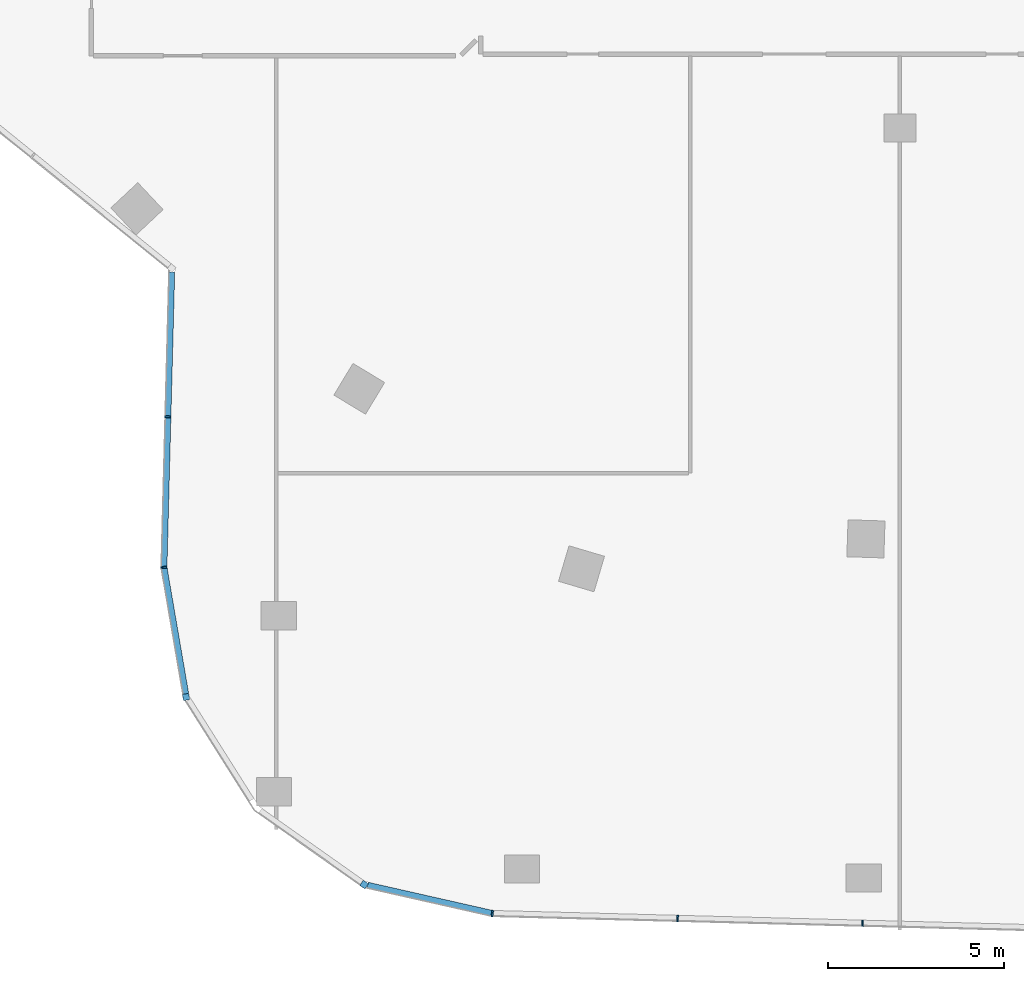
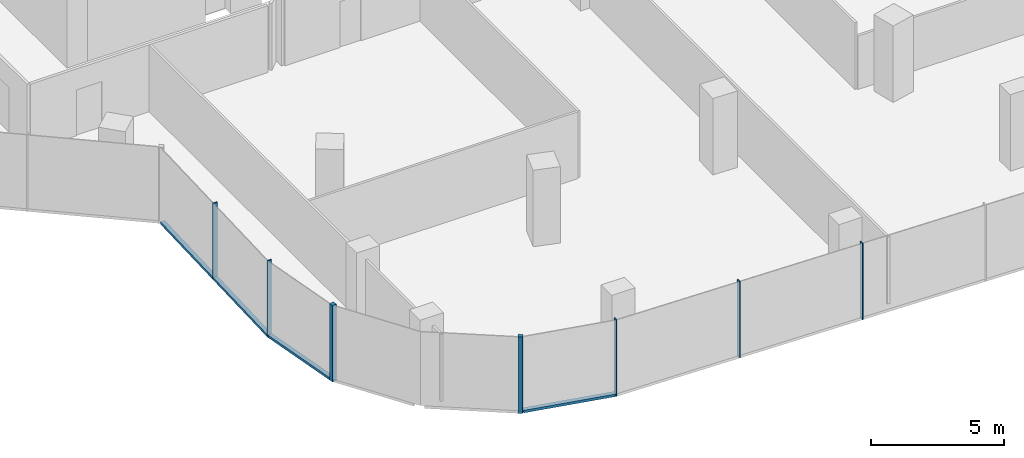
# One storey, part 2 of 23: 10 members, 5 elements without a shape of their own.
"""IFC4 building model written with IfcOpenShell, lengths in metres."""

from ifc_helpers import new_model, si_unit, direction, frame, origin, origin_2d, place, context, subcontext, project, spatial, rectangle, extrude, material, material_profile, profile_set, type_object, element, aggregate, save


model = new_model("IFC4")

# Units and contexts
model_context = context("Model", 3, precision=1e-05, world=origin(), true_north=direction((0.0, 1.0)))
body_context = subcontext(model_context, "Body", "Model", "MODEL_VIEW")
ifc_project = project(units=[si_unit("LENGTHUNIT", "METRE"), si_unit("AREAUNIT", "SQUARE_METRE"), si_unit("VOLUMEUNIT", "CUBIC_METRE"), si_unit("PLANEANGLEUNIT", "RADIAN"), si_unit("MASSUNIT", "GRAM", prefix="KILO")], contexts=[model_context])

# Site, building, storey
site_placement = place(None, origin())
site = spatial("IfcSite", under=ifc_project, at=site_placement, CompositionType="ELEMENT")
building_placement = place(site_placement, origin())
building = spatial("IfcBuilding", under=site, at=building_placement, Name="Orlundy Tower", CompositionType="ELEMENT")
storey_placement = place(building_placement, frame((0.0, 0.0, 224.5)))
storey = spatial("IfcBuildingStorey", under=building, at=storey_placement, Name="L59", CompositionType="ELEMENT", Elevation=224.5)

# Curtain wall, member
ifc_material_1 = material(Name="Aluminium bronze anodised", Category="aluminium")
curtain_wall_type = type_object("IfcCurtainWallType", Name="CW1 wall", PredefinedType="NOTDEFINED", material=ifc_material_1)
curtain_wall_1_placement = place(storey_placement, origin())
curtain_wall_1 = element("IfcCurtainWall", 1, at=curtain_wall_1_placement, inside=storey, type_object=curtain_wall_type, Name="CW1 run 025", PredefinedType="NOTDEFINED")
ifc_material_2 = material(Name="Aluminium bronze anodised", Category="aluminium")
ifc_material_profile_1 = material_profile(ifc_material_2, rectangle(XDim=0.179931640625, YDim=0.179931640625, at=origin_2d()), Name="CW1 corner post 180x180")
ifc_profile_set_1 = profile_set([ifc_material_profile_1], Name="Aluminium bronze anodised")
member_type_1 = type_object("IfcMemberType", Name="CW1 corner post 180x180", PredefinedType="MULLION", material=ifc_profile_set_1)
member_1_placement = place(storey_placement, frame((-15.209228515625, -39.476806640625, -0.419921875), z_axis=(0.0, 0.0, 1.0), x_axis=(-0.577096231381, -0.816676153518, 0.0)))
member_1 = element("IfcMember", 2, at=member_1_placement, type_object=member_type_1, Name="CW1 mullion 50", PredefinedType="MULLION", context=body_context, shape_type="SweptSolid", body=[
    extrude(rectangle(XDim=0.179931640625, YDim=0.179931640625, at=origin_2d()), origin(), (0.0, 0.0, 1.0), 3.5),
])
aggregate(curtain_wall_1, [member_1])

curtain_wall_2_placement = place(storey_placement, origin())
curtain_wall_2 = element("IfcCurtainWall", 3, at=curtain_wall_2_placement, inside=storey, type_object=curtain_wall_type, Name="CW1 run 027", PredefinedType="NOTDEFINED")
member_2_placement = place(storey_placement, frame((-20.2626953125, -34.15185546875, -0.419921875), z_axis=(0.0, 0.0, 1.0), x_axis=(-0.985542556373, -0.169428066085, 0.0)))
member_2 = element("IfcMember", 4, at=member_2_placement, type_object=member_type_1, Name="CW1 mullion 52", PredefinedType="MULLION", context=body_context, shape_type="SweptSolid", body=[
    extrude(rectangle(XDim=0.179931640625, YDim=0.179931640625, at=origin_2d()), origin(), (0.0, 0.0, 1.0), 3.5),
])

# Curtain wall, members
curtain_wall_3_placement = place(storey_placement, origin())
curtain_wall_3 = element("IfcCurtainWall", 5, at=curtain_wall_3_placement, inside=storey, type_object=curtain_wall_type, Name="CW1 run 00", PredefinedType="NOTDEFINED")
ifc_material_3 = material(Name="Aluminium bronze anodised", Category="aluminium")
ifc_material_profile_2 = material_profile(ifc_material_3, rectangle(XDim=0.179931640625, YDim=0.050048828125, at=origin_2d()), Name="CW1 mullion 50x180")
ifc_profile_set_2 = profile_set([ifc_material_profile_2], Name="Aluminium bronze anodised")
member_type_2 = type_object("IfcMemberType", Name="CW1 mullion 50x180", PredefinedType="MULLION", material=ifc_profile_set_2)
member_3_placement = place(storey_placement, frame((-20.895263671875, -30.472412109375, -0.419921875), z_axis=(0.0, 0.0, 1.0), x_axis=(-0.997409296077, -0.071935360565, 0.0)))
member_3 = element("IfcMember", 6, at=member_3_placement, type_object=member_type_2, Name="CW1 mullion 1", PredefinedType="MULLION", context=body_context, shape_type="SweptSolid", body=[
    extrude(rectangle(XDim=0.179931640625, YDim=0.050048828125, at=origin_2d()), origin(), (0.0, 0.0, 1.0), 3.5),
])
member_4_placement = place(storey_placement, frame((-20.782958984375, -26.19873046875, -0.419921875), z_axis=(0.0, 0.0, 1.0), x_axis=(-0.999655377656, 0.026251208042, 0.0)))
member_4 = element("IfcMember", 7, at=member_4_placement, type_object=member_type_2, Name="CW1 mullion 2", PredefinedType="MULLION", context=body_context, shape_type="SweptSolid", body=[
    extrude(rectangle(XDim=0.179931640625, YDim=0.050048828125, at=origin_2d()), origin(), (0.0, 0.0, 1.0), 3.5),
])

curtain_wall_4_placement = place(storey_placement, origin())
curtain_wall_4 = element("IfcCurtainWall", 8, at=curtain_wall_4_placement, inside=storey, type_object=curtain_wall_type, Name="CW1 run 023", PredefinedType="NOTDEFINED")
member_5_placement = place(storey_placement, frame((-1.062744140625, -40.575927734375, -0.419921875), z_axis=(0.0, 0.0, 1.0), x_axis=(-0.026190222342, -0.999656977295, 0.0)))
member_5 = element("IfcMember", 9, at=member_5_placement, type_object=member_type_2, Name="CW1 mullion 47", PredefinedType="MULLION", context=body_context, shape_type="SweptSolid", body=[
    extrude(rectangle(XDim=0.179931640625, YDim=0.050048828125, at=origin_2d()), origin(), (0.0, 0.0, 1.0), 3.5),
])
member_6_placement = place(storey_placement, frame((-6.31103515625, -40.4384765625, -0.419921875), z_axis=(0.0, 0.0, 1.0), x_axis=(-0.026190222342, -0.999656977295, 0.0)))
member_6 = element("IfcMember", 10, at=member_6_placement, type_object=member_type_2, Name="CW1 mullion 48", PredefinedType="MULLION", context=body_context, shape_type="SweptSolid", body=[
    extrude(rectangle(XDim=0.179931640625, YDim=0.050048828125, at=origin_2d()), origin(), (0.0, 0.0, 1.0), 3.5),
])
aggregate(curtain_wall_4, [member_5, member_6])

# Curtain wall, member
curtain_wall_5_placement = place(storey_placement, origin())
curtain_wall_5 = element("IfcCurtainWall", 11, at=curtain_wall_5_placement, inside=storey, type_object=curtain_wall_type, Name="CW1 run 024", PredefinedType="NOTDEFINED")
member_7_placement = place(storey_placement, frame((-11.568115234375, -40.30078125, -0.419921875), z_axis=(0.0, 0.0, 1.0), x_axis=(-0.124042216169, -0.992276941488, 0.0)))
member_7 = element("IfcMember", 12, at=member_7_placement, type_object=member_type_2, Name="CW1 mullion 49", PredefinedType="MULLION", context=body_context, shape_type="SweptSolid", body=[
    extrude(rectangle(XDim=0.179931640625, YDim=0.050048828125, at=origin_2d()), origin(), (0.0, 0.0, 1.0), 3.5),
])

# Member
ifc_material_4 = material(Name="Aluminium bronze anodised", Category="aluminium")
ifc_material_profile_3 = material_profile(ifc_material_4, rectangle(XDim=0.179931640625, YDim=0.1201171875, at=origin_2d()), Name="CW1 transom 180x120")
ifc_profile_set_3 = profile_set([ifc_material_profile_3], Name="Aluminium bronze anodised")
member_type_3 = type_object("IfcMemberType", Name="CW1 transom 180x120", PredefinedType="USERDEFINED", material=ifc_profile_set_3)
member_8_placement = place(storey_placement, frame((-20.89453125, -30.447509765625, -0.360107421875), z_axis=(0.026256757924, 0.999655231899, 0.0), x_axis=(-0.999655231899, 0.026256757924, 0.0)))
member_8 = element("IfcMember", 13, at=member_8_placement, type_object=member_type_3, Name="CW1 transom", ObjectType="TRANSOM", PredefinedType="USERDEFINED", context=body_context, shape_type="SweptSolid", body=[
    extrude(rectangle(XDim=0.179931640625, YDim=0.1201171875, at=origin_2d()), origin(), (0.0, 0.0, 1.0), 8.359130859375),
])

aggregate(curtain_wall_3, [member_3, member_4, member_8])

member_9_placement = place(storey_placement, frame((-11.5927734375, -40.295166015625, -0.360107421875), z_axis=(-0.975339671068, 0.220709143536, 0.0), x_axis=(-0.220709143536, -0.975339671068, 0.0)))
member_9 = element("IfcMember", 14, at=member_9_placement, type_object=member_type_3, Name="CW1 transom", ObjectType="TRANSOM", PredefinedType="USERDEFINED", context=body_context, shape_type="SweptSolid", body=[
    extrude(rectangle(XDim=0.179931640625, YDim=0.1201171875, at=origin_2d()), origin(), (0.0, 0.0, 1.0), 3.610595703125),
])

aggregate(curtain_wall_5, [member_7, member_9])

member_10_placement = place(storey_placement, frame((-20.27783203125, -34.063232421875, -0.360107421875), z_axis=(-0.16943012929, 0.985542201678, 0.0), x_axis=(-0.985542201678, -0.16943012929, 0.0)))
member_10 = element("IfcMember", 15, at=member_10_placement, type_object=member_type_3, Name="CW1 transom", ObjectType="TRANSOM", PredefinedType="USERDEFINED", context=body_context, shape_type="SweptSolid", body=[
    extrude(rectangle(XDim=0.179931640625, YDim=0.1201171875, at=origin_2d()), origin(), (0.0, 0.0, 1.0), 3.6181640625),
])

aggregate(curtain_wall_2, [member_2, member_10])

save(model, "model.ifc")
